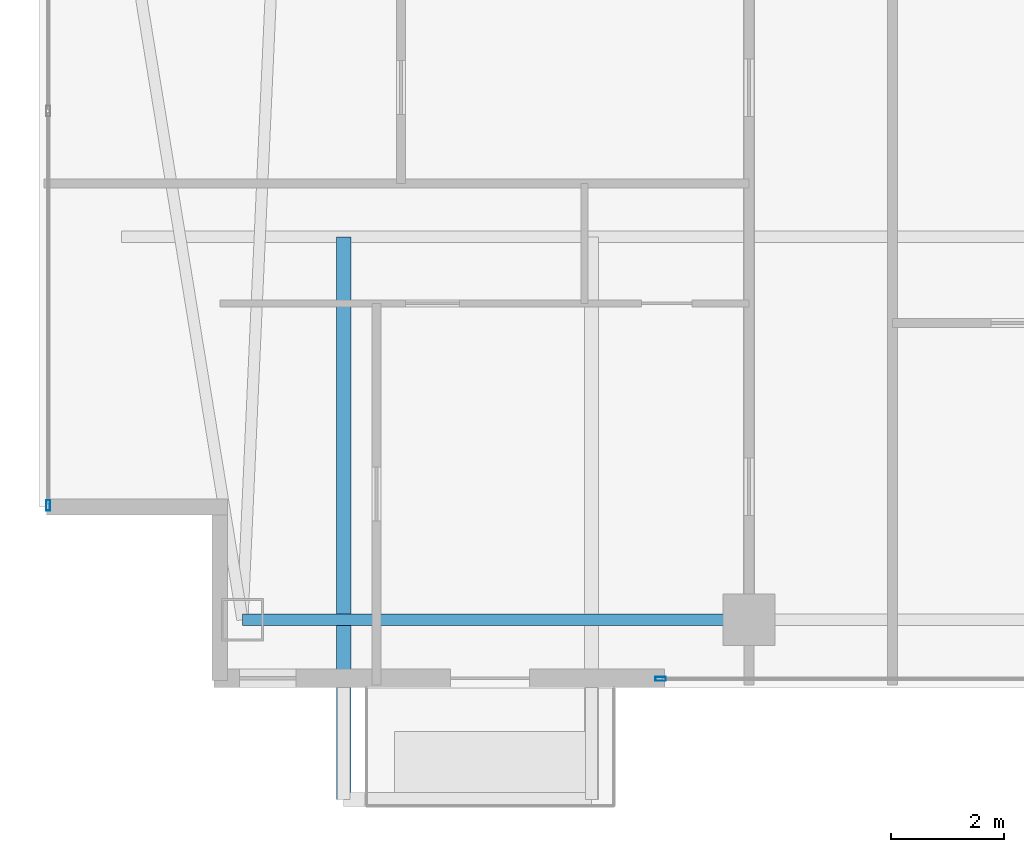
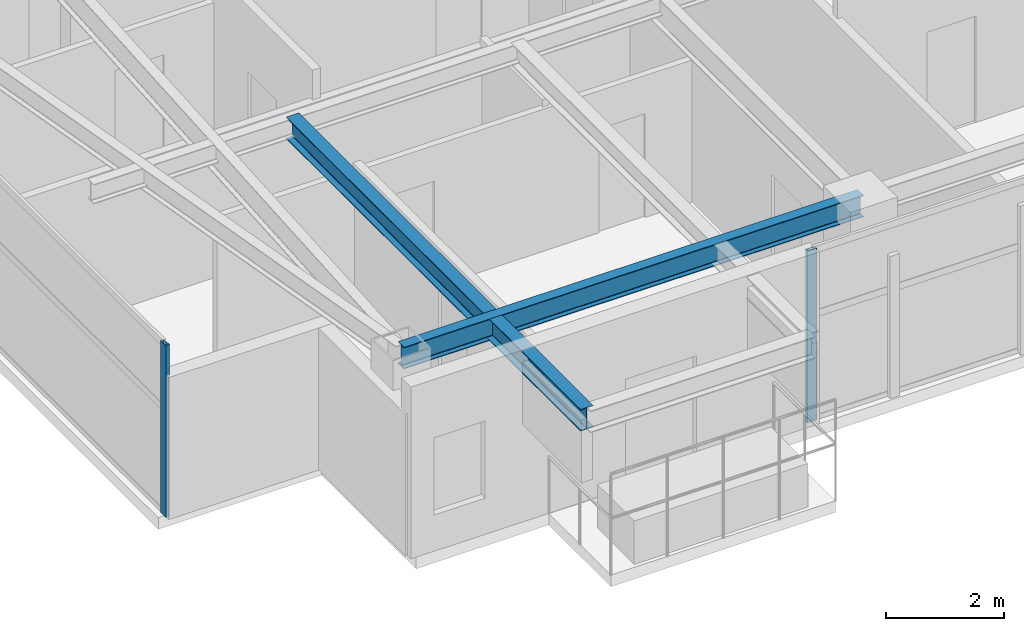
# One storey, part 2 of 27: 2 beams, 2 members, 2 elements without a shape of their own.
"""IFC4 building model written with IfcOpenShell, lengths in metres."""

from ifc_helpers import new_model, si_unit, direction, frame, origin, origin_2d, place, context, subcontext, project, spatial, hollow_rectangle, i_section, extrude, material, layer, layer_set, material_profile, profile_set, type_object, element, aggregate, save


model = new_model("IFC4")

# Units and contexts
model_context = context("Model", 3, precision=1e-05, world=origin(), true_north=direction((0.0, 1.0)))
body_context = subcontext(model_context, "Body", "Model", "MODEL_VIEW")
ifc_project = project(units=[si_unit("LENGTHUNIT", "METRE"), si_unit("AREAUNIT", "SQUARE_METRE"), si_unit("VOLUMEUNIT", "CUBIC_METRE"), si_unit("PLANEANGLEUNIT", "RADIAN"), si_unit("MASSUNIT", "GRAM", prefix="KILO")], contexts=[model_context])

# Site, building, storey
site_placement = place(None, origin())
site = spatial("IfcSite", under=ifc_project, at=site_placement, CompositionType="ELEMENT")
building_placement = place(site_placement, origin())
building = spatial("IfcBuilding", under=site, at=building_placement, Name="Calvorn Quay Hotel", CompositionType="ELEMENT")
storey_placement = place(building_placement, frame((0.0, 0.0, 226.89990234375)))
storey = spatial("IfcBuildingStorey", under=building, at=storey_placement, Name="L56", CompositionType="ELEMENT", Elevation=226.89990234375)

# Beams
ifc_material_1 = material(Name="Steel Q355B", Category="steel")
ifc_material_profile_1 = material_profile(ifc_material_1, i_section(OverallWidth=0.25, OverallDepth=0.449951171875, WebThickness=0.011962890625, FlangeThickness=0.01611328125, FilletRadius=0.01611328125, at=origin_2d()), Name="HN450x250x12x16")
ifc_profile_set_1 = profile_set([ifc_material_profile_1], Name="Steel Q355B")
beam_type_1 = type_object("IfcBeamType", Name="BM-CANT-BALC", PredefinedType="BEAM", material=ifc_profile_set_1)
beam_1_placement = place(storey_placement, frame((5.39990234375, 10.39990234375, 3.315185546875), z_axis=(0.0, -1.0, 0.0), x_axis=(1.0, 0.0, 0.0)))
element("IfcBeam", 1, at=beam_1_placement, inside=storey, type_object=beam_type_1, Name="Cantilever Balcony Beam BCB-L57-2A", PredefinedType="BEAM", context=body_context, shape_type="SweptSolid", body=[
    extrude(i_section(OverallWidth=0.25, OverallDepth=0.449951171875, WebThickness=0.011962890625, FlangeThickness=0.01611328125, FilletRadius=0.01611328125, at=origin_2d()), origin(), (0.0, 0.0, 1.0), 9.989990234375),
])
ifc_material_2 = material(Name="Steel Q355B", Category="steel")
ifc_material_profile_2 = material_profile(ifc_material_2, i_section(OverallWidth=0.199951171875, OverallDepth=0.449951171875, WebThickness=0.009033203125, FlangeThickness=0.013916015625, FilletRadius=0.01611328125, at=origin_2d()), Name="HN450x200x9x14")
ifc_profile_set_2 = profile_set([ifc_material_profile_2], Name="Steel Q355B")
beam_type_2 = type_object("IfcBeamType", Name="BM-SPANDREL-Z3", PredefinedType="SPANDREL", material=ifc_profile_set_2)
beam_2_placement = place(storey_placement, frame((3.60009765625, 3.60009765625, 3.315185546875), z_axis=(1.0, 0.0, 0.0), x_axis=(0.0, 1.0, 0.0)))
element("IfcBeam", 2, at=beam_2_placement, inside=storey, type_object=beam_type_2, Name="Beam BSP-L56-S1", PredefinedType="SPANDREL", context=body_context, shape_type="SweptSolid", body=[
    extrude(i_section(OverallWidth=0.199951171875, OverallDepth=0.449951171875, WebThickness=0.009033203125, FlangeThickness=0.013916015625, FilletRadius=0.01611328125, at=origin_2d()), origin(), (0.0, 0.0, 1.0), 9.0),
])

# Curtain wall, member
ifc_material_3 = material(Name="Champagne Bronze Anodised Aluminium and Low-E Glass", Category="aluminium")
ifc_layer = layer(ifc_material_3, 0.219970703125)
ifc_layer_set = layer_set([ifc_layer], Name="CW-SYS-Z3")
curtain_wall_type = type_object("IfcCurtainWallType", Name="CW-SYS-Z3", PredefinedType="NOTDEFINED", material=ifc_layer_set)
curtain_wall_1_placement = place(storey_placement, origin())
curtain_wall_1 = element("IfcCurtainWall", 3, at=curtain_wall_1_placement, inside=storey, type_object=curtain_wall_type, Name="Tower West Curtain Wall (L56)", PredefinedType="NOTDEFINED")
ifc_material_4 = material(Name="Champagne Bronze Anodised Aluminium 6063-T6", Category="aluminium")
ifc_material_profile_3 = material_profile(ifc_material_4, hollow_rectangle(XDim=0.068115234375, YDim=0.18505859375, WallThickness=0.00390625, at=origin_2d()), Name="ALU-M185x68x4")
ifc_profile_set_3 = profile_set([ifc_material_profile_3], Name="Champagne Bronze Anodised Aluminium 6063-T6")
member_type = type_object("IfcMemberType", Name="CW-SYS-Z3-MUL", PredefinedType="MULLION", material=ifc_profile_set_3)
member_1_placement = place(storey_placement, frame((0.14990234375, 5.6298828125, 0.0), z_axis=(0.0, 0.0, 1.0), x_axis=(-1.0, 0.0, 0.0)))
member_1 = element("IfcMember", 4, at=member_1_placement, type_object=member_type, Name="CW-L56-W mullion 1", PredefinedType="MULLION", context=body_context, shape_type="SweptSolid", body=[
    extrude(hollow_rectangle(XDim=0.068115234375, YDim=0.18505859375, WallThickness=0.00390625, at=origin_2d()), origin(), (0.0, 0.0, 1.0), 3.56005859375),
])
aggregate(curtain_wall_1, [member_1])

curtain_wall_2_placement = place(storey_placement, origin())
curtain_wall_2 = element("IfcCurtainWall", 5, at=curtain_wall_2_placement, inside=storey, type_object=curtain_wall_type, Name="Tower South Waterfront Curtain Wall (L56)", PredefinedType="NOTDEFINED")
member_2_placement = place(storey_placement, frame((11.030029296875, 2.550048828125, 0.0), z_axis=(0.0, 0.0, 1.0), x_axis=(0.0, 1.0, 0.0)))
member_2 = element("IfcMember", 6, at=member_2_placement, type_object=member_type, Name="CW-L56-S mullion 1", PredefinedType="MULLION", context=body_context, shape_type="SweptSolid", body=[
    extrude(hollow_rectangle(XDim=0.068115234375, YDim=0.18505859375, WallThickness=0.00390625, at=origin_2d()), origin(), (0.0, 0.0, 1.0), 3.56005859375),
])
aggregate(curtain_wall_2, [member_2])

save(model, "model.ifc")
